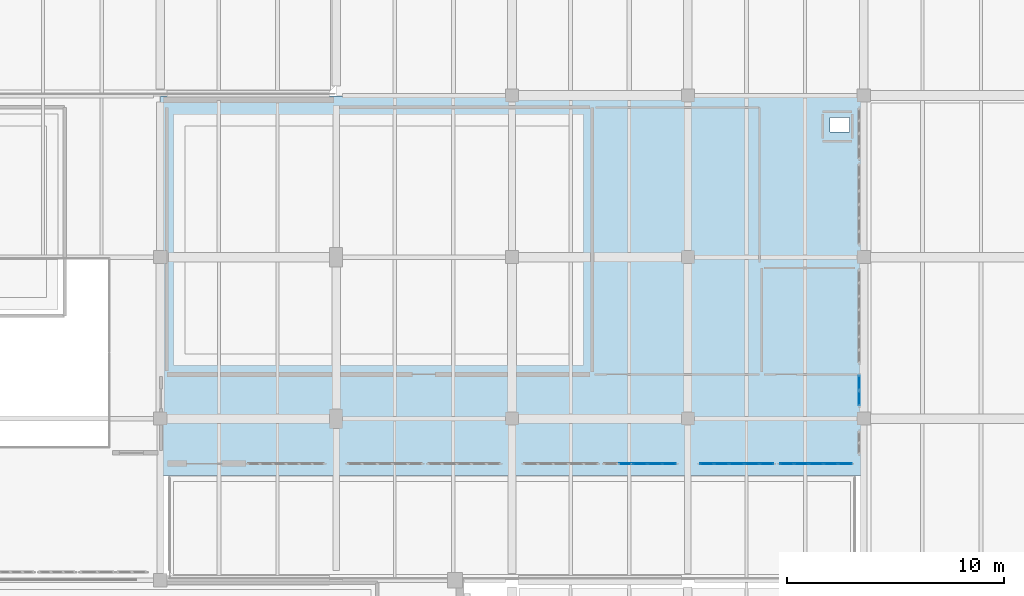
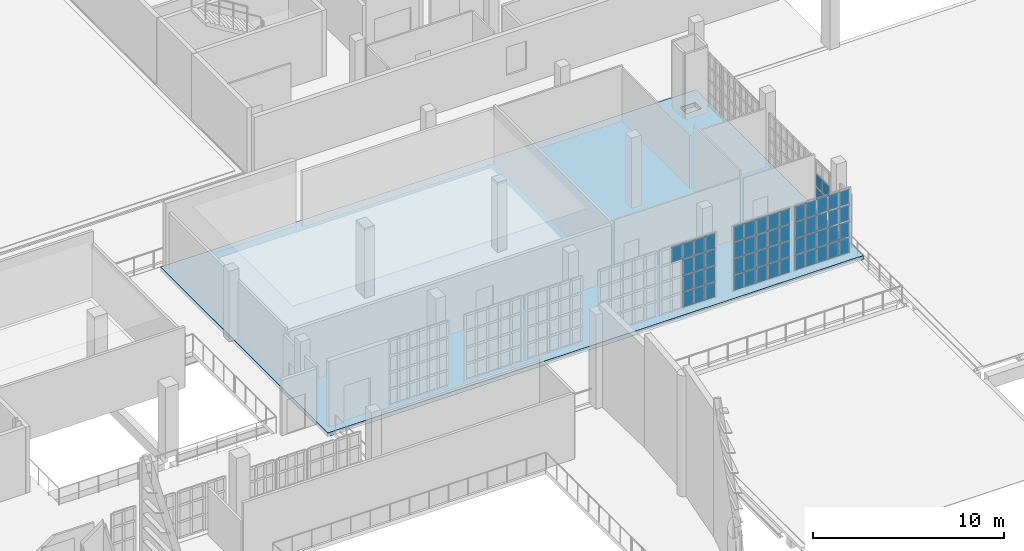
# One storey, part 53 of 73: 57 plates, 1 slab, 4 elements without a shape of their own.
"""IFC4 building model written with IfcOpenShell, lengths in metres."""

from ifc_helpers import new_model, si_unit, direction, frame, origin, origin_2d, place, context, subcontext, project, spatial, polyline, rectangle, outline, extrude, material, layer, layer_set, type_object, element, aggregate, save


model = new_model("IFC4")

# Units and contexts
model_context = context("Model", 3, precision=1e-05, world=origin(), true_north=direction((0.0, 1.0)))
body_context = subcontext(model_context, "Body", "Model", "MODEL_VIEW")
ifc_project = project(units=[si_unit("LENGTHUNIT", "METRE"), si_unit("AREAUNIT", "SQUARE_METRE"), si_unit("VOLUMEUNIT", "CUBIC_METRE"), si_unit("PLANEANGLEUNIT", "RADIAN"), si_unit("MASSUNIT", "GRAM", prefix="KILO")], contexts=[model_context])

# Site, building, storey
site_placement = place(None, origin())
site = spatial("IfcSite", under=ifc_project, at=site_placement, CompositionType="ELEMENT")
building_placement = place(site_placement, origin())
building = spatial("IfcBuilding", under=site, at=building_placement, Name="Kaelora Sail Theatre", CompositionType="ELEMENT")
storey_placement = place(building_placement, frame((0.0, 0.0, 10.199951171875)))
storey = spatial("IfcBuildingStorey", under=building, at=storey_placement, Name="L02", CompositionType="ELEMENT", Elevation=10.199951171875)

# Curtain wall, plates
ifc_material_1 = material(Name="Anodised aluminium and solar-control low-E IGU", Category="aluminium")
curtain_wall_type = type_object("IfcCurtainWallType", Name="ARC-CW-CW-BRG", PredefinedType="NOTDEFINED", material=ifc_material_1)
curtain_wall_1_placement = place(storey_placement, origin())
curtain_wall_1 = element("IfcCurtainWall", 1, at=curtain_wall_1_placement, inside=storey, type_object=curtain_wall_type, Name="Glazed Foyer/Conservatory Curtain Wall FC2-S-L02-05", PredefinedType="NOTDEFINED")
ifc_material_2 = material(Name="Solar-control laminated low-E glass", Category="glass")
ifc_layer_1 = layer(ifc_material_2, 0.031982421875)
ifc_layer_set_1 = layer_set([ifc_layer_1], Name="Solar-control laminated low-E glass")
plate_type = type_object("IfcPlateType", Name="ARC-CW-PNL", PredefinedType="CURTAIN_PANEL", material=ifc_layer_set_1)
plate_1_placement = place(storey_placement, frame((112.02001953125, 66.389892578125, 3.188720703125), z_axis=(0.0, 0.0, 1.0), x_axis=(1.0, 0.0, 0.0)))
plate_1 = element("IfcPlate", 2, at=plate_1_placement, type_object=plate_type, Name="CW-BRG panel 2.4", PredefinedType="CURTAIN_PANEL", context=body_context, shape_type="SweptSolid", body=[
    extrude(rectangle(XDim=0.6201171875, YDim=0.031982421875, at=origin_2d()), origin(), (0.0, 0.0, 1.0), 0.9462890625),
])
plate_2_placement = place(storey_placement, frame((112.699951171875, 66.389892578125, 0.070068359375), z_axis=(0.0, 0.0, 1.0), x_axis=(1.0, 0.0, 0.0)))
plate_2 = element("IfcPlate", 3, at=plate_2_placement, type_object=plate_type, Name="CW-BRG panel 3.1", PredefinedType="CURTAIN_PANEL", context=body_context, shape_type="SweptSolid", body=[
    extrude(rectangle(XDim=0.6201171875, YDim=0.031982421875, at=origin_2d()), origin(), (0.0, 0.0, 1.0), 0.9462890625),
])
plate_3_placement = place(storey_placement, frame((112.699951171875, 66.389892578125, 1.08642578125), z_axis=(0.0, 0.0, 1.0), x_axis=(1.0, 0.0, 0.0)))
plate_3 = element("IfcPlate", 4, at=plate_3_placement, type_object=plate_type, Name="CW-BRG panel 3.2", PredefinedType="CURTAIN_PANEL", context=body_context, shape_type="SweptSolid", body=[
    extrude(rectangle(XDim=0.6201171875, YDim=0.031982421875, at=origin_2d()), origin(), (0.0, 0.0, 1.0), 0.981201171875),
])
plate_4_placement = place(storey_placement, frame((112.699951171875, 66.389892578125, 2.1376953125), z_axis=(0.0, 0.0, 1.0), x_axis=(1.0, 0.0, 0.0)))
plate_4 = element("IfcPlate", 5, at=plate_4_placement, type_object=plate_type, Name="CW-BRG panel 3.3", PredefinedType="CURTAIN_PANEL", context=body_context, shape_type="SweptSolid", body=[
    extrude(rectangle(XDim=0.6201171875, YDim=0.031982421875, at=origin_2d()), origin(), (0.0, 0.0, 1.0), 0.981201171875),
])
plate_5_placement = place(storey_placement, frame((112.699951171875, 66.389892578125, 3.188720703125), z_axis=(0.0, 0.0, 1.0), x_axis=(1.0, 0.0, 0.0)))
plate_5 = element("IfcPlate", 6, at=plate_5_placement, type_object=plate_type, Name="CW-BRG panel 3.4", PredefinedType="CURTAIN_PANEL", context=body_context, shape_type="SweptSolid", body=[
    extrude(rectangle(XDim=0.6201171875, YDim=0.031982421875, at=origin_2d()), origin(), (0.0, 0.0, 1.0), 0.9462890625),
])
plate_6_placement = place(storey_placement, frame((113.3798828125, 66.389892578125, 0.070068359375), z_axis=(0.0, 0.0, 1.0), x_axis=(1.0, 0.0, 0.0)))
plate_6 = element("IfcPlate", 7, at=plate_6_placement, type_object=plate_type, Name="CW-BRG panel 4.1", PredefinedType="CURTAIN_PANEL", context=body_context, shape_type="SweptSolid", body=[
    extrude(rectangle(XDim=0.6201171875, YDim=0.031982421875, at=origin_2d()), origin(), (0.0, 0.0, 1.0), 0.9462890625),
])
plate_7_placement = place(storey_placement, frame((113.3798828125, 66.389892578125, 1.08642578125), z_axis=(0.0, 0.0, 1.0), x_axis=(1.0, 0.0, 0.0)))
plate_7 = element("IfcPlate", 8, at=plate_7_placement, type_object=plate_type, Name="CW-BRG panel 4.2", PredefinedType="CURTAIN_PANEL", context=body_context, shape_type="SweptSolid", body=[
    extrude(rectangle(XDim=0.6201171875, YDim=0.031982421875, at=origin_2d()), origin(), (0.0, 0.0, 1.0), 0.981201171875),
])
plate_8_placement = place(storey_placement, frame((113.3798828125, 66.389892578125, 2.1376953125), z_axis=(0.0, 0.0, 1.0), x_axis=(1.0, 0.0, 0.0)))
plate_8 = element("IfcPlate", 9, at=plate_8_placement, type_object=plate_type, Name="CW-BRG panel 4.3", PredefinedType="CURTAIN_PANEL", context=body_context, shape_type="SweptSolid", body=[
    extrude(rectangle(XDim=0.6201171875, YDim=0.031982421875, at=origin_2d()), origin(), (0.0, 0.0, 1.0), 0.981201171875),
])
plate_9_placement = place(storey_placement, frame((113.3798828125, 66.389892578125, 3.188720703125), z_axis=(0.0, 0.0, 1.0), x_axis=(1.0, 0.0, 0.0)))
plate_9 = element("IfcPlate", 10, at=plate_9_placement, type_object=plate_type, Name="CW-BRG panel 4.4", PredefinedType="CURTAIN_PANEL", context=body_context, shape_type="SweptSolid", body=[
    extrude(rectangle(XDim=0.6201171875, YDim=0.031982421875, at=origin_2d()), origin(), (0.0, 0.0, 1.0), 0.9462890625),
])
plate_10_placement = place(storey_placement, frame((114.044921875, 66.389892578125, 0.070068359375), z_axis=(0.0, 0.0, 1.0), x_axis=(1.0, 0.0, 0.0)))
plate_10 = element("IfcPlate", 11, at=plate_10_placement, type_object=plate_type, Name="CW-BRG panel 5.1", PredefinedType="CURTAIN_PANEL", context=body_context, shape_type="SweptSolid", body=[
    extrude(rectangle(XDim=0.590087890625, YDim=0.031982421875, at=origin_2d()), origin(), (0.0, 0.0, 1.0), 0.9462890625),
])
plate_11_placement = place(storey_placement, frame((114.044921875, 66.389892578125, 1.08642578125), z_axis=(0.0, 0.0, 1.0), x_axis=(1.0, 0.0, 0.0)))
plate_11 = element("IfcPlate", 12, at=plate_11_placement, type_object=plate_type, Name="CW-BRG panel 5.2", PredefinedType="CURTAIN_PANEL", context=body_context, shape_type="SweptSolid", body=[
    extrude(rectangle(XDim=0.590087890625, YDim=0.031982421875, at=origin_2d()), origin(), (0.0, 0.0, 1.0), 0.981201171875),
])
plate_12_placement = place(storey_placement, frame((114.044921875, 66.389892578125, 2.1376953125), z_axis=(0.0, 0.0, 1.0), x_axis=(1.0, 0.0, 0.0)))
plate_12 = element("IfcPlate", 13, at=plate_12_placement, type_object=plate_type, Name="CW-BRG panel 5.3", PredefinedType="CURTAIN_PANEL", context=body_context, shape_type="SweptSolid", body=[
    extrude(rectangle(XDim=0.590087890625, YDim=0.031982421875, at=origin_2d()), origin(), (0.0, 0.0, 1.0), 0.981201171875),
])
plate_13_placement = place(storey_placement, frame((114.044921875, 66.389892578125, 3.188720703125), z_axis=(0.0, 0.0, 1.0), x_axis=(1.0, 0.0, 0.0)))
plate_13 = element("IfcPlate", 14, at=plate_13_placement, type_object=plate_type, Name="CW-BRG panel 5.4", PredefinedType="CURTAIN_PANEL", context=body_context, shape_type="SweptSolid", body=[
    extrude(rectangle(XDim=0.590087890625, YDim=0.031982421875, at=origin_2d()), origin(), (0.0, 0.0, 1.0), 0.9462890625),
])
aggregate(curtain_wall_1, [plate_1, plate_2, plate_3, plate_4, plate_5, plate_6, plate_7, plate_8, plate_9, plate_10, plate_11, plate_12, plate_13])

curtain_wall_2_placement = place(storey_placement, origin())
curtain_wall_2 = element("IfcCurtainWall", 15, at=curtain_wall_2_placement, inside=storey, type_object=curtain_wall_type, Name="Glazed Foyer/Conservatory Curtain Wall FC2-S-L02-06", PredefinedType="NOTDEFINED")
plate_14_placement = place(storey_placement, frame((115.764892578125, 66.389892578125, 0.070068359375), z_axis=(0.0, 0.0, 1.0), x_axis=(1.0, 0.0, 0.0)))
plate_14 = element("IfcPlate", 16, at=plate_14_placement, type_object=plate_type, Name="CW-BRG panel 1.1", PredefinedType="CURTAIN_PANEL", context=body_context, shape_type="SweptSolid", body=[
    extrude(rectangle(XDim=0.610107421875, YDim=0.031982421875, at=origin_2d()), origin(), (0.0, 0.0, 1.0), 0.9462890625),
])
plate_15_placement = place(storey_placement, frame((115.764892578125, 66.389892578125, 1.08642578125), z_axis=(0.0, 0.0, 1.0), x_axis=(1.0, 0.0, 0.0)))
plate_15 = element("IfcPlate", 17, at=plate_15_placement, type_object=plate_type, Name="CW-BRG panel 1.2", PredefinedType="CURTAIN_PANEL", context=body_context, shape_type="SweptSolid", body=[
    extrude(rectangle(XDim=0.610107421875, YDim=0.031982421875, at=origin_2d()), origin(), (0.0, 0.0, 1.0), 0.981201171875),
])
plate_16_placement = place(storey_placement, frame((115.764892578125, 66.389892578125, 2.1376953125), z_axis=(0.0, 0.0, 1.0), x_axis=(1.0, 0.0, 0.0)))
plate_16 = element("IfcPlate", 18, at=plate_16_placement, type_object=plate_type, Name="CW-BRG panel 1.3", PredefinedType="CURTAIN_PANEL", context=body_context, shape_type="SweptSolid", body=[
    extrude(rectangle(XDim=0.610107421875, YDim=0.031982421875, at=origin_2d()), origin(), (0.0, 0.0, 1.0), 0.981201171875),
])
plate_17_placement = place(storey_placement, frame((115.764892578125, 66.389892578125, 3.188720703125), z_axis=(0.0, 0.0, 1.0), x_axis=(1.0, 0.0, 0.0)))
plate_17 = element("IfcPlate", 19, at=plate_17_placement, type_object=plate_type, Name="CW-BRG panel 1.4", PredefinedType="CURTAIN_PANEL", context=body_context, shape_type="SweptSolid", body=[
    extrude(rectangle(XDim=0.610107421875, YDim=0.031982421875, at=origin_2d()), origin(), (0.0, 0.0, 1.0), 0.9462890625),
])
plate_18_placement = place(storey_placement, frame((116.449951171875, 66.389892578125, 0.070068359375), z_axis=(0.0, 0.0, 1.0), x_axis=(1.0, 0.0, 0.0)))
plate_18 = element("IfcPlate", 20, at=plate_18_placement, type_object=plate_type, Name="CW-BRG panel 2.1", PredefinedType="CURTAIN_PANEL", context=body_context, shape_type="SweptSolid", body=[
    extrude(rectangle(XDim=0.639892578125, YDim=0.031982421875, at=origin_2d()), origin(), (0.0, 0.0, 1.0), 0.9462890625),
])
plate_19_placement = place(storey_placement, frame((116.449951171875, 66.389892578125, 1.08642578125), z_axis=(0.0, 0.0, 1.0), x_axis=(1.0, 0.0, 0.0)))
plate_19 = element("IfcPlate", 21, at=plate_19_placement, type_object=plate_type, Name="CW-BRG panel 2.2", PredefinedType="CURTAIN_PANEL", context=body_context, shape_type="SweptSolid", body=[
    extrude(rectangle(XDim=0.639892578125, YDim=0.031982421875, at=origin_2d()), origin(), (0.0, 0.0, 1.0), 0.981201171875),
])
plate_20_placement = place(storey_placement, frame((116.449951171875, 66.389892578125, 2.1376953125), z_axis=(0.0, 0.0, 1.0), x_axis=(1.0, 0.0, 0.0)))
plate_20 = element("IfcPlate", 22, at=plate_20_placement, type_object=plate_type, Name="CW-BRG panel 2.3", PredefinedType="CURTAIN_PANEL", context=body_context, shape_type="SweptSolid", body=[
    extrude(rectangle(XDim=0.639892578125, YDim=0.031982421875, at=origin_2d()), origin(), (0.0, 0.0, 1.0), 0.981201171875),
])
plate_21_placement = place(storey_placement, frame((116.449951171875, 66.389892578125, 3.188720703125), z_axis=(0.0, 0.0, 1.0), x_axis=(1.0, 0.0, 0.0)))
plate_21 = element("IfcPlate", 23, at=plate_21_placement, type_object=plate_type, Name="CW-BRG panel 2.4", PredefinedType="CURTAIN_PANEL", context=body_context, shape_type="SweptSolid", body=[
    extrude(rectangle(XDim=0.639892578125, YDim=0.031982421875, at=origin_2d()), origin(), (0.0, 0.0, 1.0), 0.9462890625),
])
plate_22_placement = place(storey_placement, frame((117.14990234375, 66.389892578125, 0.070068359375), z_axis=(0.0, 0.0, 1.0), x_axis=(1.0, 0.0, 0.0)))
plate_22 = element("IfcPlate", 24, at=plate_22_placement, type_object=plate_type, Name="CW-BRG panel 3.1", PredefinedType="CURTAIN_PANEL", context=body_context, shape_type="SweptSolid", body=[
    extrude(rectangle(XDim=0.639892578125, YDim=0.031982421875, at=origin_2d()), origin(), (0.0, 0.0, 1.0), 0.9462890625),
])
plate_23_placement = place(storey_placement, frame((117.14990234375, 66.389892578125, 1.08642578125), z_axis=(0.0, 0.0, 1.0), x_axis=(1.0, 0.0, 0.0)))
plate_23 = element("IfcPlate", 25, at=plate_23_placement, type_object=plate_type, Name="CW-BRG panel 3.2", PredefinedType="CURTAIN_PANEL", context=body_context, shape_type="SweptSolid", body=[
    extrude(rectangle(XDim=0.639892578125, YDim=0.031982421875, at=origin_2d()), origin(), (0.0, 0.0, 1.0), 0.981201171875),
])
plate_24_placement = place(storey_placement, frame((117.14990234375, 66.389892578125, 2.1376953125), z_axis=(0.0, 0.0, 1.0), x_axis=(1.0, 0.0, 0.0)))
plate_24 = element("IfcPlate", 26, at=plate_24_placement, type_object=plate_type, Name="CW-BRG panel 3.3", PredefinedType="CURTAIN_PANEL", context=body_context, shape_type="SweptSolid", body=[
    extrude(rectangle(XDim=0.639892578125, YDim=0.031982421875, at=origin_2d()), origin(), (0.0, 0.0, 1.0), 0.981201171875),
])
plate_25_placement = place(storey_placement, frame((117.14990234375, 66.389892578125, 3.188720703125), z_axis=(0.0, 0.0, 1.0), x_axis=(1.0, 0.0, 0.0)))
plate_25 = element("IfcPlate", 27, at=plate_25_placement, type_object=plate_type, Name="CW-BRG panel 3.4", PredefinedType="CURTAIN_PANEL", context=body_context, shape_type="SweptSolid", body=[
    extrude(rectangle(XDim=0.639892578125, YDim=0.031982421875, at=origin_2d()), origin(), (0.0, 0.0, 1.0), 0.9462890625),
])
plate_26_placement = place(storey_placement, frame((117.85009765625, 66.389892578125, 0.070068359375), z_axis=(0.0, 0.0, 1.0), x_axis=(1.0, 0.0, 0.0)))
plate_26 = element("IfcPlate", 28, at=plate_26_placement, type_object=plate_type, Name="CW-BRG panel 4.1", PredefinedType="CURTAIN_PANEL", context=body_context, shape_type="SweptSolid", body=[
    extrude(rectangle(XDim=0.639892578125, YDim=0.031982421875, at=origin_2d()), origin(), (0.0, 0.0, 1.0), 0.9462890625),
])
plate_27_placement = place(storey_placement, frame((117.85009765625, 66.389892578125, 1.08642578125), z_axis=(0.0, 0.0, 1.0), x_axis=(1.0, 0.0, 0.0)))
plate_27 = element("IfcPlate", 29, at=plate_27_placement, type_object=plate_type, Name="CW-BRG panel 4.2", PredefinedType="CURTAIN_PANEL", context=body_context, shape_type="SweptSolid", body=[
    extrude(rectangle(XDim=0.639892578125, YDim=0.031982421875, at=origin_2d()), origin(), (0.0, 0.0, 1.0), 0.981201171875),
])
plate_28_placement = place(storey_placement, frame((117.85009765625, 66.389892578125, 2.1376953125), z_axis=(0.0, 0.0, 1.0), x_axis=(1.0, 0.0, 0.0)))
plate_28 = element("IfcPlate", 30, at=plate_28_placement, type_object=plate_type, Name="CW-BRG panel 4.3", PredefinedType="CURTAIN_PANEL", context=body_context, shape_type="SweptSolid", body=[
    extrude(rectangle(XDim=0.639892578125, YDim=0.031982421875, at=origin_2d()), origin(), (0.0, 0.0, 1.0), 0.981201171875),
])
plate_29_placement = place(storey_placement, frame((117.85009765625, 66.389892578125, 3.188720703125), z_axis=(0.0, 0.0, 1.0), x_axis=(1.0, 0.0, 0.0)))
plate_29 = element("IfcPlate", 31, at=plate_29_placement, type_object=plate_type, Name="CW-BRG panel 4.4", PredefinedType="CURTAIN_PANEL", context=body_context, shape_type="SweptSolid", body=[
    extrude(rectangle(XDim=0.639892578125, YDim=0.031982421875, at=origin_2d()), origin(), (0.0, 0.0, 1.0), 0.9462890625),
])
plate_30_placement = place(storey_placement, frame((118.534912109375, 66.389892578125, 0.070068359375), z_axis=(0.0, 0.0, 1.0), x_axis=(1.0, 0.0, 0.0)))
plate_30 = element("IfcPlate", 32, at=plate_30_placement, type_object=plate_type, Name="CW-BRG panel 5.1", PredefinedType="CURTAIN_PANEL", context=body_context, shape_type="SweptSolid", body=[
    extrude(rectangle(XDim=0.610107421875, YDim=0.031982421875, at=origin_2d()), origin(), (0.0, 0.0, 1.0), 0.9462890625),
])
plate_31_placement = place(storey_placement, frame((118.534912109375, 66.389892578125, 1.08642578125), z_axis=(0.0, 0.0, 1.0), x_axis=(1.0, 0.0, 0.0)))
plate_31 = element("IfcPlate", 33, at=plate_31_placement, type_object=plate_type, Name="CW-BRG panel 5.2", PredefinedType="CURTAIN_PANEL", context=body_context, shape_type="SweptSolid", body=[
    extrude(rectangle(XDim=0.610107421875, YDim=0.031982421875, at=origin_2d()), origin(), (0.0, 0.0, 1.0), 0.981201171875),
])
plate_32_placement = place(storey_placement, frame((118.534912109375, 66.389892578125, 2.1376953125), z_axis=(0.0, 0.0, 1.0), x_axis=(1.0, 0.0, 0.0)))
plate_32 = element("IfcPlate", 34, at=plate_32_placement, type_object=plate_type, Name="CW-BRG panel 5.3", PredefinedType="CURTAIN_PANEL", context=body_context, shape_type="SweptSolid", body=[
    extrude(rectangle(XDim=0.610107421875, YDim=0.031982421875, at=origin_2d()), origin(), (0.0, 0.0, 1.0), 0.981201171875),
])
plate_33_placement = place(storey_placement, frame((118.534912109375, 66.389892578125, 3.188720703125), z_axis=(0.0, 0.0, 1.0), x_axis=(1.0, 0.0, 0.0)))
plate_33 = element("IfcPlate", 35, at=plate_33_placement, type_object=plate_type, Name="CW-BRG panel 5.4", PredefinedType="CURTAIN_PANEL", context=body_context, shape_type="SweptSolid", body=[
    extrude(rectangle(XDim=0.610107421875, YDim=0.031982421875, at=origin_2d()), origin(), (0.0, 0.0, 1.0), 0.9462890625),
])
aggregate(curtain_wall_2, [plate_14, plate_15, plate_16, plate_17, plate_18, plate_19, plate_20, plate_21, plate_22, plate_23, plate_24, plate_25, plate_26, plate_27, plate_28, plate_29, plate_30, plate_31, plate_32, plate_33])

curtain_wall_3_placement = place(storey_placement, origin())
curtain_wall_3 = element("IfcCurtainWall", 36, at=curtain_wall_3_placement, inside=storey, type_object=curtain_wall_type, Name="Glazed Foyer/Conservatory Curtain Wall FC2-S-L02-07", PredefinedType="NOTDEFINED")
plate_34_placement = place(storey_placement, frame((119.455078125, 66.389892578125, 0.070068359375), z_axis=(0.0, 0.0, 1.0), x_axis=(1.0, 0.0, 0.0)))
plate_34 = element("IfcPlate", 37, at=plate_34_placement, type_object=plate_type, Name="CW-BRG panel 1.1", PredefinedType="CURTAIN_PANEL", context=body_context, shape_type="SweptSolid", body=[
    extrude(rectangle(XDim=0.590087890625, YDim=0.031982421875, at=origin_2d()), origin(), (0.0, 0.0, 1.0), 0.9462890625),
])
plate_35_placement = place(storey_placement, frame((119.455078125, 66.389892578125, 1.08642578125), z_axis=(0.0, 0.0, 1.0), x_axis=(1.0, 0.0, 0.0)))
plate_35 = element("IfcPlate", 38, at=plate_35_placement, type_object=plate_type, Name="CW-BRG panel 1.2", PredefinedType="CURTAIN_PANEL", context=body_context, shape_type="SweptSolid", body=[
    extrude(rectangle(XDim=0.590087890625, YDim=0.031982421875, at=origin_2d()), origin(), (0.0, 0.0, 1.0), 0.981201171875),
])
plate_36_placement = place(storey_placement, frame((119.455078125, 66.389892578125, 2.1376953125), z_axis=(0.0, 0.0, 1.0), x_axis=(1.0, 0.0, 0.0)))
plate_36 = element("IfcPlate", 39, at=plate_36_placement, type_object=plate_type, Name="CW-BRG panel 1.3", PredefinedType="CURTAIN_PANEL", context=body_context, shape_type="SweptSolid", body=[
    extrude(rectangle(XDim=0.590087890625, YDim=0.031982421875, at=origin_2d()), origin(), (0.0, 0.0, 1.0), 0.981201171875),
])
plate_37_placement = place(storey_placement, frame((119.455078125, 66.389892578125, 3.188720703125), z_axis=(0.0, 0.0, 1.0), x_axis=(1.0, 0.0, 0.0)))
plate_37 = element("IfcPlate", 40, at=plate_37_placement, type_object=plate_type, Name="CW-BRG panel 1.4", PredefinedType="CURTAIN_PANEL", context=body_context, shape_type="SweptSolid", body=[
    extrude(rectangle(XDim=0.590087890625, YDim=0.031982421875, at=origin_2d()), origin(), (0.0, 0.0, 1.0), 0.9462890625),
])
plate_38_placement = place(storey_placement, frame((120.1201171875, 66.389892578125, 0.070068359375), z_axis=(0.0, 0.0, 1.0), x_axis=(1.0, 0.0, 0.0)))
plate_38 = element("IfcPlate", 41, at=plate_38_placement, type_object=plate_type, Name="CW-BRG panel 2.1", PredefinedType="CURTAIN_PANEL", context=body_context, shape_type="SweptSolid", body=[
    extrude(rectangle(XDim=0.6201171875, YDim=0.031982421875, at=origin_2d()), origin(), (0.0, 0.0, 1.0), 0.9462890625),
])
plate_39_placement = place(storey_placement, frame((120.1201171875, 66.389892578125, 1.08642578125), z_axis=(0.0, 0.0, 1.0), x_axis=(1.0, 0.0, 0.0)))
plate_39 = element("IfcPlate", 42, at=plate_39_placement, type_object=plate_type, Name="CW-BRG panel 2.2", PredefinedType="CURTAIN_PANEL", context=body_context, shape_type="SweptSolid", body=[
    extrude(rectangle(XDim=0.6201171875, YDim=0.031982421875, at=origin_2d()), origin(), (0.0, 0.0, 1.0), 0.981201171875),
])
plate_40_placement = place(storey_placement, frame((120.1201171875, 66.389892578125, 2.1376953125), z_axis=(0.0, 0.0, 1.0), x_axis=(1.0, 0.0, 0.0)))
plate_40 = element("IfcPlate", 43, at=plate_40_placement, type_object=plate_type, Name="CW-BRG panel 2.3", PredefinedType="CURTAIN_PANEL", context=body_context, shape_type="SweptSolid", body=[
    extrude(rectangle(XDim=0.6201171875, YDim=0.031982421875, at=origin_2d()), origin(), (0.0, 0.0, 1.0), 0.981201171875),
])
plate_41_placement = place(storey_placement, frame((120.1201171875, 66.389892578125, 3.188720703125), z_axis=(0.0, 0.0, 1.0), x_axis=(1.0, 0.0, 0.0)))
plate_41 = element("IfcPlate", 44, at=plate_41_placement, type_object=plate_type, Name="CW-BRG panel 2.4", PredefinedType="CURTAIN_PANEL", context=body_context, shape_type="SweptSolid", body=[
    extrude(rectangle(XDim=0.6201171875, YDim=0.031982421875, at=origin_2d()), origin(), (0.0, 0.0, 1.0), 0.9462890625),
])
plate_42_placement = place(storey_placement, frame((120.800048828125, 66.389892578125, 0.070068359375), z_axis=(0.0, 0.0, 1.0), x_axis=(1.0, 0.0, 0.0)))
plate_42 = element("IfcPlate", 45, at=plate_42_placement, type_object=plate_type, Name="CW-BRG panel 3.1", PredefinedType="CURTAIN_PANEL", context=body_context, shape_type="SweptSolid", body=[
    extrude(rectangle(XDim=0.6201171875, YDim=0.031982421875, at=origin_2d()), origin(), (0.0, 0.0, 1.0), 0.9462890625),
])
plate_43_placement = place(storey_placement, frame((120.800048828125, 66.389892578125, 1.08642578125), z_axis=(0.0, 0.0, 1.0), x_axis=(1.0, 0.0, 0.0)))
plate_43 = element("IfcPlate", 46, at=plate_43_placement, type_object=plate_type, Name="CW-BRG panel 3.2", PredefinedType="CURTAIN_PANEL", context=body_context, shape_type="SweptSolid", body=[
    extrude(rectangle(XDim=0.6201171875, YDim=0.031982421875, at=origin_2d()), origin(), (0.0, 0.0, 1.0), 0.981201171875),
])
plate_44_placement = place(storey_placement, frame((120.800048828125, 66.389892578125, 2.1376953125), z_axis=(0.0, 0.0, 1.0), x_axis=(1.0, 0.0, 0.0)))
plate_44 = element("IfcPlate", 47, at=plate_44_placement, type_object=plate_type, Name="CW-BRG panel 3.3", PredefinedType="CURTAIN_PANEL", context=body_context, shape_type="SweptSolid", body=[
    extrude(rectangle(XDim=0.6201171875, YDim=0.031982421875, at=origin_2d()), origin(), (0.0, 0.0, 1.0), 0.981201171875),
])
plate_45_placement = place(storey_placement, frame((120.800048828125, 66.389892578125, 3.188720703125), z_axis=(0.0, 0.0, 1.0), x_axis=(1.0, 0.0, 0.0)))
plate_45 = element("IfcPlate", 48, at=plate_45_placement, type_object=plate_type, Name="CW-BRG panel 3.4", PredefinedType="CURTAIN_PANEL", context=body_context, shape_type="SweptSolid", body=[
    extrude(rectangle(XDim=0.6201171875, YDim=0.031982421875, at=origin_2d()), origin(), (0.0, 0.0, 1.0), 0.9462890625),
])
plate_46_placement = place(storey_placement, frame((121.47998046875, 66.389892578125, 0.070068359375), z_axis=(0.0, 0.0, 1.0), x_axis=(1.0, 0.0, 0.0)))
plate_46 = element("IfcPlate", 49, at=plate_46_placement, type_object=plate_type, Name="CW-BRG panel 4.1", PredefinedType="CURTAIN_PANEL", context=body_context, shape_type="SweptSolid", body=[
    extrude(rectangle(XDim=0.6201171875, YDim=0.031982421875, at=origin_2d()), origin(), (0.0, 0.0, 1.0), 0.9462890625),
])
plate_47_placement = place(storey_placement, frame((121.47998046875, 66.389892578125, 1.08642578125), z_axis=(0.0, 0.0, 1.0), x_axis=(1.0, 0.0, 0.0)))
plate_47 = element("IfcPlate", 50, at=plate_47_placement, type_object=plate_type, Name="CW-BRG panel 4.2", PredefinedType="CURTAIN_PANEL", context=body_context, shape_type="SweptSolid", body=[
    extrude(rectangle(XDim=0.6201171875, YDim=0.031982421875, at=origin_2d()), origin(), (0.0, 0.0, 1.0), 0.981201171875),
])
plate_48_placement = place(storey_placement, frame((121.47998046875, 66.389892578125, 2.1376953125), z_axis=(0.0, 0.0, 1.0), x_axis=(1.0, 0.0, 0.0)))
plate_48 = element("IfcPlate", 51, at=plate_48_placement, type_object=plate_type, Name="CW-BRG panel 4.3", PredefinedType="CURTAIN_PANEL", context=body_context, shape_type="SweptSolid", body=[
    extrude(rectangle(XDim=0.6201171875, YDim=0.031982421875, at=origin_2d()), origin(), (0.0, 0.0, 1.0), 0.981201171875),
])
plate_49_placement = place(storey_placement, frame((121.47998046875, 66.389892578125, 3.188720703125), z_axis=(0.0, 0.0, 1.0), x_axis=(1.0, 0.0, 0.0)))
plate_49 = element("IfcPlate", 52, at=plate_49_placement, type_object=plate_type, Name="CW-BRG panel 4.4", PredefinedType="CURTAIN_PANEL", context=body_context, shape_type="SweptSolid", body=[
    extrude(rectangle(XDim=0.6201171875, YDim=0.031982421875, at=origin_2d()), origin(), (0.0, 0.0, 1.0), 0.9462890625),
])
plate_50_placement = place(storey_placement, frame((122.14501953125, 66.389892578125, 0.070068359375), z_axis=(0.0, 0.0, 1.0), x_axis=(1.0, 0.0, 0.0)))
plate_50 = element("IfcPlate", 53, at=plate_50_placement, type_object=plate_type, Name="CW-BRG panel 5.1", PredefinedType="CURTAIN_PANEL", context=body_context, shape_type="SweptSolid", body=[
    extrude(rectangle(XDim=0.590087890625, YDim=0.031982421875, at=origin_2d()), origin(), (0.0, 0.0, 1.0), 0.9462890625),
])
plate_51_placement = place(storey_placement, frame((122.14501953125, 66.389892578125, 1.08642578125), z_axis=(0.0, 0.0, 1.0), x_axis=(1.0, 0.0, 0.0)))
plate_51 = element("IfcPlate", 54, at=plate_51_placement, type_object=plate_type, Name="CW-BRG panel 5.2", PredefinedType="CURTAIN_PANEL", context=body_context, shape_type="SweptSolid", body=[
    extrude(rectangle(XDim=0.590087890625, YDim=0.031982421875, at=origin_2d()), origin(), (0.0, 0.0, 1.0), 0.981201171875),
])
plate_52_placement = place(storey_placement, frame((122.14501953125, 66.389892578125, 2.1376953125), z_axis=(0.0, 0.0, 1.0), x_axis=(1.0, 0.0, 0.0)))
plate_52 = element("IfcPlate", 55, at=plate_52_placement, type_object=plate_type, Name="CW-BRG panel 5.3", PredefinedType="CURTAIN_PANEL", context=body_context, shape_type="SweptSolid", body=[
    extrude(rectangle(XDim=0.590087890625, YDim=0.031982421875, at=origin_2d()), origin(), (0.0, 0.0, 1.0), 0.981201171875),
])
plate_53_placement = place(storey_placement, frame((122.14501953125, 66.389892578125, 3.188720703125), z_axis=(0.0, 0.0, 1.0), x_axis=(1.0, 0.0, 0.0)))
plate_53 = element("IfcPlate", 56, at=plate_53_placement, type_object=plate_type, Name="CW-BRG panel 5.4", PredefinedType="CURTAIN_PANEL", context=body_context, shape_type="SweptSolid", body=[
    extrude(rectangle(XDim=0.590087890625, YDim=0.031982421875, at=origin_2d()), origin(), (0.0, 0.0, 1.0), 0.9462890625),
])
aggregate(curtain_wall_3, [plate_34, plate_35, plate_36, plate_37, plate_38, plate_39, plate_40, plate_41, plate_42, plate_43, plate_44, plate_45, plate_46, plate_47, plate_48, plate_49, plate_50, plate_51, plate_52, plate_53])

curtain_wall_4_placement = place(storey_placement, origin())
curtain_wall_4 = element("IfcCurtainWall", 57, at=curtain_wall_4_placement, inside=storey, type_object=curtain_wall_type, Name="Glazed Colonnade/Courtyard Curtain Wall FC2-STEP-E-L02-01", PredefinedType="NOTDEFINED")
plate_54_placement = place(storey_placement, frame((122.7900390625, 69.405029296875, 0.88671875), z_axis=(0.0, 0.0, 1.0), x_axis=(0.0, 1.0, 0.0)))
plate_54 = element("IfcPlate", 58, at=plate_54_placement, type_object=plate_type, Name="CW-BRG panel 1.2", PredefinedType="CURTAIN_PANEL", context=body_context, shape_type="SweptSolid", body=[
    extrude(rectangle(XDim=0.64990234375, YDim=0.031982421875, at=origin_2d()), origin(), (0.0, 0.0, 1.0), 0.78173828125),
])
plate_55_placement = place(storey_placement, frame((122.7900390625, 69.405029296875, 1.738525390625), z_axis=(0.0, 0.0, 1.0), x_axis=(0.0, 1.0, 0.0)))
plate_55 = element("IfcPlate", 59, at=plate_55_placement, type_object=plate_type, Name="CW-BRG panel 1.3", PredefinedType="CURTAIN_PANEL", context=body_context, shape_type="SweptSolid", body=[
    extrude(rectangle(XDim=0.64990234375, YDim=0.031982421875, at=origin_2d()), origin(), (0.0, 0.0, 1.0), 0.78173828125),
])
plate_56_placement = place(storey_placement, frame((122.7900390625, 70.114990234375, 0.88671875), z_axis=(0.0, 0.0, 1.0), x_axis=(0.0, 1.0, 0.0)))
plate_56 = element("IfcPlate", 60, at=plate_56_placement, type_object=plate_type, Name="CW-BRG panel 2.2", PredefinedType="CURTAIN_PANEL", context=body_context, shape_type="SweptSolid", body=[
    extrude(rectangle(XDim=0.64990234375, YDim=0.031982421875, at=origin_2d()), origin(), (0.0, 0.0, 1.0), 0.78173828125),
])
plate_57_placement = place(storey_placement, frame((122.7900390625, 70.114990234375, 1.738525390625), z_axis=(0.0, 0.0, 1.0), x_axis=(0.0, 1.0, 0.0)))
plate_57 = element("IfcPlate", 61, at=plate_57_placement, type_object=plate_type, Name="CW-BRG panel 2.3", PredefinedType="CURTAIN_PANEL", context=body_context, shape_type="SweptSolid", body=[
    extrude(rectangle(XDim=0.64990234375, YDim=0.031982421875, at=origin_2d()), origin(), (0.0, 0.0, 1.0), 0.78173828125),
])
aggregate(curtain_wall_4, [plate_54, plate_55, plate_56, plate_57])

# Slab
ifc_material_3 = material(Name="Concrete C40/50", Category="concrete")
ifc_layer_2 = layer(ifc_material_3, 0.260009765625)
ifc_layer_set_2 = layer_set([ifc_layer_2], Name="Concrete C40/50")
slab_type = type_object("IfcSlabType", Name="STR-SLB-SL-FL260", PredefinedType="FLOOR", material=ifc_layer_set_2)
slab_placement = place(storey_placement, frame((0.0, 0.0, -0.260009765625)))
element("IfcSlab", 62, at=slab_placement, inside=storey, type_object=slab_type, Name="Glazed Foyer floor slab FC2 (L02)", PredefinedType="FLOOR", context=body_context, shape_type="SweptSolid", body=[
    extrude(outline(polyline([(90.614990234375, 65.8349609375), (122.985107421875, 65.8349609375), (122.985107421875, 83.324951171875), (90.614990234375, 83.324951171875), (90.614990234375, 65.8349609375)]), holes=[polyline([(121.43505859375, 81.675048828125), (122.3349609375, 81.675048828125), (122.3349609375, 82.324951171875), (121.43505859375, 82.324951171875), (121.43505859375, 81.675048828125)])]), origin(), (0.0, 0.0, 1.0), 0.260009765625),
])

save(model, "model.ifc")
